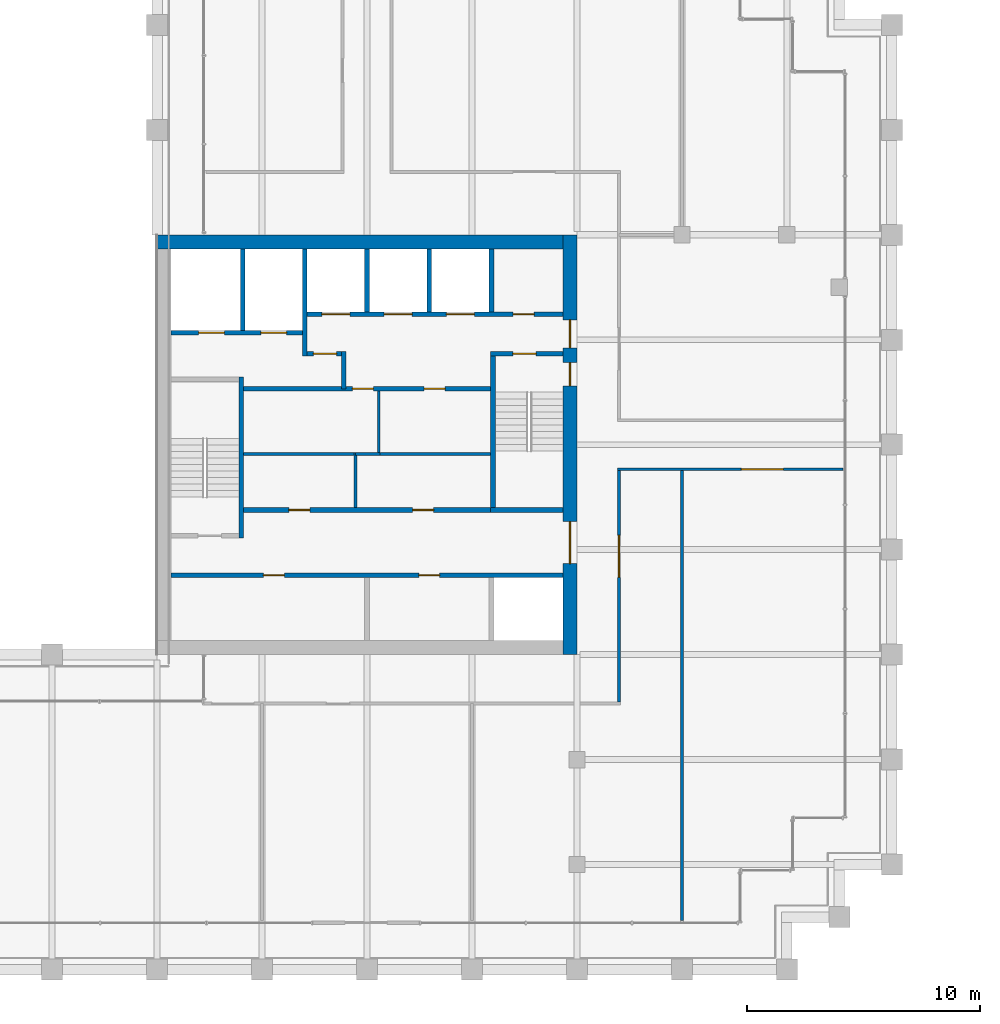
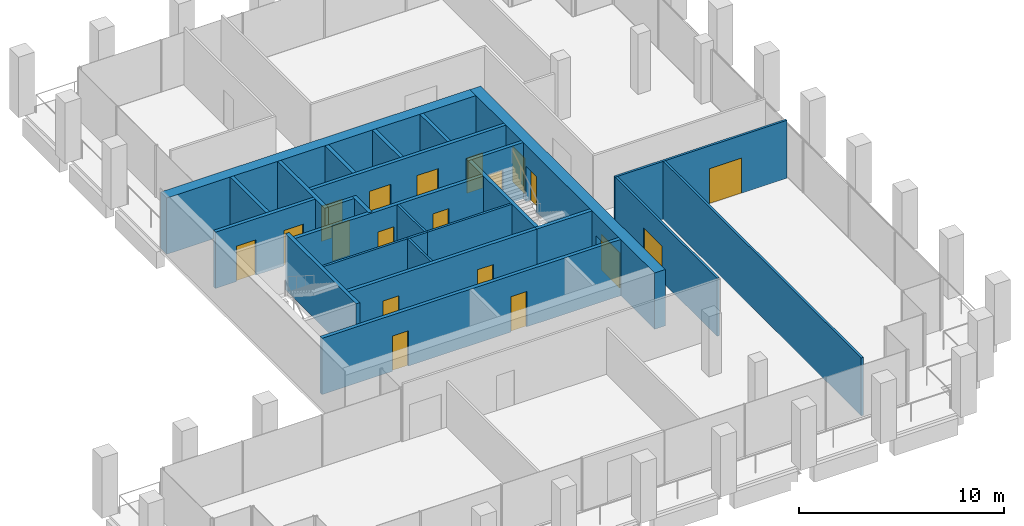
# One storey, part 36 of 40: 26 walls, 19 doors, 19 openings.
"""IFC4 building model written with IfcOpenShell, lengths in metres."""

from ifc_helpers import new_model, si_unit, direction, frame, frame_2d, origin, place, context, subcontext, project, spatial, rectangle, extrude, material, layer, layer_set, type_object, element, fill, save


model = new_model("IFC4")

# Units and contexts
model_context = context("Model", 3, precision=1e-05, world=origin(), true_north=direction((0.0, 1.0)))
body_context = subcontext(model_context, "Body", "Model", "MODEL_VIEW")
ifc_project = project(units=[si_unit("LENGTHUNIT", "METRE"), si_unit("AREAUNIT", "SQUARE_METRE"), si_unit("VOLUMEUNIT", "CUBIC_METRE"), si_unit("PLANEANGLEUNIT", "RADIAN"), si_unit("MASSUNIT", "GRAM", prefix="KILO")], contexts=[model_context])

# Site, building, storey
site_placement = place(None, origin())
site = spatial("IfcSite", under=ifc_project, at=site_placement, CompositionType="ELEMENT")
building_placement = place(site_placement, origin())
building = spatial("IfcBuilding", under=site, at=building_placement, Name="Altepetl Exchange Towers", CompositionType="ELEMENT")
storey_placement = place(building_placement, frame((0.0, 0.0, 154.60009765625)))
storey = spatial("IfcBuildingStorey", under=building, at=storey_placement, Name="L38", CompositionType="ELEMENT", Elevation=154.60009765625)

# Wall, openings, doors
ifc_material_1 = material(Name="Concrete C70/85", Category="concrete")
ifc_layer_1 = layer(ifc_material_1, 0.60009765625)
ifc_layer_set_1 = layer_set([ifc_layer_1], Name="Concrete C70/85")
wall_type_1 = type_object("IfcWallType", Name="Core wall 600 reinforced concrete", PredefinedType="SHEAR", material=ifc_layer_set_1)
wall_1_placement = place(storey_placement, frame((58.199951171875, 40.5, 0.0), z_axis=(0.0, 0.0, 1.0), x_axis=(0.0, 1.0, 0.0)))
wall_1 = element("IfcWall", 1, at=wall_1_placement, inside=storey, type_object=wall_type_1, Name="wall:A:L38:K-coreE", PredefinedType="SHEAR", context=body_context, shape_type="SweptSolid", body=[
    extrude(rectangle(XDim=18.0, YDim=0.60009765625, at=frame_2d((9.0, 0.0))), origin(), (0.0, 0.0, 1.0), 3.349853515625),
])
opening_1_placement = place(wall_1_placement, frame((13.14990234375, 0.0, 0.0)))
opening_1 = element("IfcOpeningElement", 2, at=opening_1_placement, cuts=wall_1, Name="Opening L38.A60", PredefinedType="OPENING", context=body_context, shape_type="SweptSolid", body=[
    extrude(rectangle(XDim=1.199951171875, YDim=2.10009765625, at=frame_2d((0.60009765625, 1.050048828125))), frame((0.0, 0.31005859375, 0.0), z_axis=(0.0, -1.0, 0.0), x_axis=(1.0, 0.0, 0.0)), (0.0, 0.0, 1.0), 0.6201171875),
])
opening_2_placement = place(wall_1_placement, frame((3.89990234375, 0.0, 0.0)))
opening_2 = element("IfcOpeningElement", 3, at=opening_2_placement, cuts=wall_1, Name="Opening L38.A61", PredefinedType="OPENING", context=body_context, shape_type="SweptSolid", body=[
    extrude(rectangle(XDim=1.800048828125, YDim=2.10009765625, at=frame_2d((0.89990234375, 1.050048828125))), frame((0.0, 0.31005859375, 0.0), z_axis=(0.0, -1.0, 0.0), x_axis=(1.0, 0.0, 0.0)), (0.0, 0.0, 1.0), 0.6201171875),
])
opening_3_placement = place(wall_1_placement, frame((11.52490234375, 0.0, 0.0)))
opening_3 = element("IfcOpeningElement", 4, at=opening_3_placement, cuts=wall_1, Name="Opening L38.A64", PredefinedType="OPENING", context=body_context, shape_type="SweptSolid", body=[
    extrude(rectangle(XDim=1.0, YDim=2.10009765625, at=frame_2d((0.5, 1.050048828125))), frame((0.0, 0.31005859375, 0.0), z_axis=(0.0, -1.0, 0.0), x_axis=(1.0, 0.0, 0.0)), (0.0, 0.0, 1.0), 0.6201171875),
])
ifc_material_2 = material(Name="Steel and timber fire door", Category="steel")
door_type_1 = type_object("IfcDoorType", Name="Fire door 1000 x 2100 stair and lobby", OperationType="SINGLE_SWING_LEFT", PredefinedType="DOOR", material=ifc_material_2)
door_1_placement = place(opening_3_placement, origin())
door_1 = element("IfcDoor", 5, at=door_1_placement, inside=storey, type_object=door_type_1, Name="door:A:L38:K-dS2x", OperationType="SINGLE_SWING_RIGHT", OverallHeight=2.10009765625, OverallWidth=1.0, PredefinedType="DOOR", context=body_context, shape_type="SweptSolid", body=[
    extrude(rectangle(XDim=1.0, YDim=2.10009765625, at=frame_2d((0.5, 1.050048828125))), frame((0.0, 0.02490234375, 0.0), z_axis=(0.0, -1.0, 0.0), x_axis=(1.0, 0.0, 0.0)), (0.0, 0.0, 1.0), 0.050048828125),
])
fill(opening_3, door_1)
door_type_2 = type_object("IfcDoorType", Name="Fire door 1200 x 2100 lobby entry", OperationType="SINGLE_SWING_LEFT", PredefinedType="DOOR", material=ifc_material_2)
door_2_placement = place(opening_1_placement, origin())
door_2 = element("IfcDoor", 6, at=door_2_placement, inside=storey, type_object=door_type_2, Name="door:A:L38:K-dLNE", OperationType="SINGLE_SWING_RIGHT", OverallHeight=2.10009765625, OverallWidth=1.199951171875, PredefinedType="DOOR", context=body_context, shape_type="SweptSolid", body=[
    extrude(rectangle(XDim=1.199951171875, YDim=2.10009765625, at=frame_2d((0.60009765625, 1.050048828125))), frame((0.0, 0.02490234375, 0.0), z_axis=(0.0, -1.0, 0.0), x_axis=(1.0, 0.0, 0.0)), (0.0, 0.0, 1.0), 0.050048828125),
])
fill(opening_1, door_2)
door_type_3 = type_object("IfcDoorType", Name="Fire door 1800 x 2100 lobby entry", OperationType="DOUBLE_DOOR_SINGLE_SWING", PredefinedType="DOOR", material=ifc_material_2)
door_3_placement = place(opening_2_placement, origin())
door_3 = element("IfcDoor", 7, at=door_3_placement, inside=storey, type_object=door_type_3, Name="door:A:L38:K-dLSE", OperationType="DOUBLE_DOOR_SINGLE_SWING", OverallHeight=2.10009765625, OverallWidth=1.800048828125, PredefinedType="DOOR", context=body_context, shape_type="SweptSolid", body=[
    extrude(rectangle(XDim=1.800048828125, YDim=2.10009765625, at=frame_2d((0.89990234375, 1.050048828125))), frame((0.0, 0.02490234375, 0.0), z_axis=(0.0, -1.0, 0.0), x_axis=(1.0, 0.0, 0.0)), (0.0, 0.0, 1.0), 0.050048828125),
])
fill(opening_2, door_3)

# Walls
wall_2_placement = place(storey_placement, frame((40.5, 58.199951171875, 0.0)))
element("IfcWall", 8, at=wall_2_placement, inside=storey, type_object=wall_type_1, Name="wall:A:L38:K-coreN", PredefinedType="SHEAR", context=body_context, shape_type="SweptSolid", body=[
    extrude(rectangle(XDim=17.39990234375, YDim=0.60009765625, at=frame_2d((8.699951171875, 0.0))), origin(), (0.0, 0.0, 1.0), 3.349853515625),
])
ifc_material_3 = material(Name="Concrete blockwork", Category="masonry")
ifc_layer_2 = layer(ifc_material_3, 0.199951171875)
ifc_layer_set_2 = layer_set([ifc_layer_2], Name="Concrete blockwork")
wall_type_2 = type_object("IfcWallType", Name="Lobby wall 200 blockwork", PredefinedType="PARTITIONING", material=ifc_layer_set_2)
wall_3_placement = place(storey_placement, frame((48.5, 51.89990234375, 0.0), z_axis=(0.0, 0.0, 1.0), x_axis=(0.0, 1.0, 0.0)))
element("IfcWall", 9, at=wall_3_placement, inside=storey, type_object=wall_type_2, Name="wall:A:L38:K-ffE", PredefinedType="PARTITIONING", context=body_context, shape_type="SweptSolid", body=[
    extrude(rectangle(XDim=1.60009765625, YDim=0.199951171875, at=frame_2d((0.800048828125, 0.0))), origin(), (0.0, 0.0, 1.0), 3.349853515625),
])

# Wall, opening, door
wall_4_placement = place(storey_placement, frame((46.933349609375, 53.39990234375, 0.0)))
wall_4 = element("IfcWall", 10, at=wall_4_placement, inside=storey, type_object=wall_type_2, Name="wall:A:L38:K-ffN", PredefinedType="PARTITIONING", context=body_context, shape_type="SweptSolid", body=[
    extrude(rectangle(XDim=1.466552734375, YDim=0.199951171875, at=frame_2d((0.7333984375, 0.0))), origin(), (0.0, 0.0, 1.0), 3.349853515625),
])
opening_4_placement = place(wall_4_placement, frame((0.2666015625, 0.0, 0.0)))
opening_4 = element("IfcOpeningElement", 11, at=opening_4_placement, cuts=wall_4, Name="Opening L38.A65", PredefinedType="OPENING", context=body_context, shape_type="SweptSolid", body=[
    extrude(rectangle(XDim=1.0, YDim=2.10009765625, at=frame_2d((0.5, 1.050048828125))), frame((0.0, 0.10986328125, 0.0), z_axis=(0.0, -1.0, 0.0), x_axis=(1.0, 0.0, 0.0)), (0.0, 0.0, 1.0), 0.219970703125),
])
door_4_placement = place(opening_4_placement, frame((1.0, 0.0, 0.0), x_axis=(-1.0, 0.0, 0.0)))
door_4 = element("IfcDoor", 12, at=door_4_placement, inside=storey, type_object=door_type_1, Name="door:A:L38:K-dffN", OperationType="SINGLE_SWING_RIGHT", OverallHeight=2.10009765625, OverallWidth=1.0, PredefinedType="DOOR", context=body_context, shape_type="SweptSolid", body=[
    extrude(rectangle(XDim=1.0, YDim=2.10009765625, at=frame_2d((0.5, 1.050048828125))), frame((0.0, 0.02490234375, 0.0), z_axis=(0.0, -1.0, 0.0), x_axis=(1.0, 0.0, 0.0)), (0.0, 0.0, 1.0), 0.050048828125),
])
fill(opening_4, door_4)

# Wall, openings, doors
wall_5_placement = place(storey_placement, frame((44.199951171875, 51.89990234375, 0.0)))
wall_5 = element("IfcWall", 13, at=wall_5_placement, inside=storey, type_object=wall_type_2, Name="wall:A:L38:K-zoneN", PredefinedType="PARTITIONING", context=body_context, shape_type="SweptSolid", body=[
    extrude(rectangle(XDim=10.60009765625, YDim=0.199951171875, at=frame_2d((5.300048828125, 0.0))), origin(), (0.0, 0.0, 1.0), 3.349853515625),
])
opening_5_placement = place(wall_5_placement, frame((4.675048828125, 0.0, 0.0)))
opening_5 = element("IfcOpeningElement", 14, at=opening_5_placement, cuts=wall_5, Name="Opening L38.A71", PredefinedType="OPENING", context=body_context, shape_type="SweptSolid", body=[
    extrude(rectangle(XDim=0.89990234375, YDim=2.10009765625, at=frame_2d((0.449951171875, 1.050048828125))), frame((0.0, 0.10986328125, 0.0), z_axis=(0.0, -1.0, 0.0), x_axis=(1.0, 0.0, 0.0)), (0.0, 0.0, 1.0), 0.219970703125),
])
opening_6_placement = place(wall_5_placement, frame((7.75, 0.0, 0.0)))
opening_6 = element("IfcOpeningElement", 15, at=opening_6_placement, cuts=wall_5, Name="Opening L38.A72", PredefinedType="OPENING", context=body_context, shape_type="SweptSolid", body=[
    extrude(rectangle(XDim=0.89990234375, YDim=2.10009765625, at=frame_2d((0.449951171875, 1.050048828125))), frame((0.0, 0.10986328125, 0.0), z_axis=(0.0, -1.0, 0.0), x_axis=(1.0, 0.0, 0.0)), (0.0, 0.0, 1.0), 0.219970703125),
])
door_type_4 = type_object("IfcDoorType", Name="Fire door 900 x 2100 service room", OperationType="SINGLE_SWING_LEFT", PredefinedType="DOOR", material=ifc_material_2)
door_5_placement = place(opening_5_placement, frame((0.89990234375, 0.0, 0.0), x_axis=(-1.0, 0.0, 0.0)))
door_5 = element("IfcDoor", 16, at=door_5_placement, inside=storey, type_object=door_type_4, Name="door:A:L38:K-dz3", OperationType="SINGLE_SWING_LEFT", OverallHeight=2.10009765625, OverallWidth=0.89990234375, PredefinedType="DOOR", context=body_context, shape_type="SweptSolid", body=[
    extrude(rectangle(XDim=0.89990234375, YDim=2.10009765625, at=frame_2d((0.449951171875, 1.050048828125))), frame((0.0, 0.02490234375, 0.0), z_axis=(0.0, -1.0, 0.0), x_axis=(1.0, 0.0, 0.0)), (0.0, 0.0, 1.0), 0.050048828125),
])
fill(opening_5, door_5)
door_6_placement = place(opening_6_placement, frame((0.89990234375, 0.0, 0.0), x_axis=(-1.0, 0.0, 0.0)))
door_6 = element("IfcDoor", 17, at=door_6_placement, inside=storey, type_object=door_type_4, Name="door:A:L38:K-dz4", OperationType="SINGLE_SWING_LEFT", OverallHeight=2.10009765625, OverallWidth=0.89990234375, PredefinedType="DOOR", context=body_context, shape_type="SweptSolid", body=[
    extrude(rectangle(XDim=0.89990234375, YDim=2.10009765625, at=frame_2d((0.449951171875, 1.050048828125))), frame((0.0, 0.02490234375, 0.0), z_axis=(0.0, -1.0, 0.0), x_axis=(1.0, 0.0, 0.0)), (0.0, 0.0, 1.0), 0.050048828125),
])
fill(opening_6, door_6)

wall_6_placement = place(storey_placement, frame((44.199951171875, 46.699951171875, 0.0)))
wall_6 = element("IfcWall", 18, at=wall_6_placement, inside=storey, type_object=wall_type_2, Name="wall:A:L38:K-zoneS", PredefinedType="PARTITIONING", context=body_context, shape_type="SweptSolid", body=[
    extrude(rectangle(XDim=10.60009765625, YDim=0.199951171875, at=frame_2d((5.300048828125, 0.0))), origin(), (0.0, 0.0, 1.0), 3.349853515625),
])
opening_7_placement = place(wall_6_placement, frame((1.949951171875, 0.0, 0.0)))
opening_7 = element("IfcOpeningElement", 19, at=opening_7_placement, cuts=wall_6, Name="Opening L38.A69", PredefinedType="OPENING", context=body_context, shape_type="SweptSolid", body=[
    extrude(rectangle(XDim=0.89990234375, YDim=2.10009765625, at=frame_2d((0.449951171875, 1.050048828125))), frame((0.0, 0.10986328125, 0.0), z_axis=(0.0, -1.0, 0.0), x_axis=(1.0, 0.0, 0.0)), (0.0, 0.0, 1.0), 0.219970703125),
])
opening_8_placement = place(wall_6_placement, frame((7.25, 0.0, 0.0)))
opening_8 = element("IfcOpeningElement", 20, at=opening_8_placement, cuts=wall_6, Name="Opening L38.A70", PredefinedType="OPENING", context=body_context, shape_type="SweptSolid", body=[
    extrude(rectangle(XDim=0.89990234375, YDim=2.10009765625, at=frame_2d((0.449951171875, 1.050048828125))), frame((0.0, 0.10986328125, 0.0), z_axis=(0.0, -1.0, 0.0), x_axis=(1.0, 0.0, 0.0)), (0.0, 0.0, 1.0), 0.219970703125),
])
door_7_placement = place(opening_7_placement, origin())
door_7 = element("IfcDoor", 21, at=door_7_placement, inside=storey, type_object=door_type_4, Name="door:A:L38:K-dz1", OperationType="SINGLE_SWING_LEFT", OverallHeight=2.10009765625, OverallWidth=0.89990234375, PredefinedType="DOOR", context=body_context, shape_type="SweptSolid", body=[
    extrude(rectangle(XDim=0.89990234375, YDim=2.10009765625, at=frame_2d((0.449951171875, 1.050048828125))), frame((0.0, 0.02490234375, 0.0), z_axis=(0.0, -1.0, 0.0), x_axis=(1.0, 0.0, 0.0)), (0.0, 0.0, 1.0), 0.050048828125),
])
fill(opening_7, door_7)
door_8_placement = place(opening_8_placement, origin())
door_8 = element("IfcDoor", 22, at=door_8_placement, inside=storey, type_object=door_type_4, Name="door:A:L38:K-dz2", OperationType="SINGLE_SWING_LEFT", OverallHeight=2.10009765625, OverallWidth=0.89990234375, PredefinedType="DOOR", context=body_context, shape_type="SweptSolid", body=[
    extrude(rectangle(XDim=0.89990234375, YDim=2.10009765625, at=frame_2d((0.449951171875, 1.050048828125))), frame((0.0, 0.02490234375, 0.0), z_axis=(0.0, -1.0, 0.0), x_axis=(1.0, 0.0, 0.0)), (0.0, 0.0, 1.0), 0.050048828125),
])
fill(opening_8, door_8)

# Walls
ifc_material_4 = material(Name="Gypsum board on steel studs", Category="steel")
ifc_layer_3 = layer(ifc_material_4, 0.125)
ifc_layer_set_3 = layer_set([ifc_layer_3], Name="Gypsum board on steel studs")
wall_type_3 = type_object("IfcWallType", Name="Partition 125 gypsum board on steel studs", PredefinedType="PARTITIONING", material=ifc_layer_set_3)
wall_7_placement = place(storey_placement, frame((49.0, 46.800048828125, 0.0), z_axis=(0.0, 0.0, 1.0), x_axis=(0.0, 1.0, 0.0)))
element("IfcWall", 23, at=wall_7_placement, inside=storey, type_object=wall_type_3, Name="wall:A:L38:K-zp1", PredefinedType="PARTITIONING", context=body_context, shape_type="SweptSolid", body=[
    extrude(rectangle(XDim=2.362548828125, YDim=0.125, at=frame_2d((1.18115234375, 0.0))), origin(), (0.0, 0.0, 1.0), 3.349853515625),
])
wall_8_placement = place(storey_placement, frame((48.9375, 49.10009765625, 0.0), z_axis=(0.0, 0.0, 1.0), x_axis=(-1.0, 0.0, 0.0)))
element("IfcWall", 24, at=wall_8_placement, inside=storey, type_object=wall_type_3, Name="wall:A:L38:K-zp2", PredefinedType="PARTITIONING", context=body_context, shape_type="SweptSolid", body=[
    extrude(rectangle(XDim=4.737548828125, YDim=0.125, at=frame_2d((2.36865234375, 0.0))), origin(), (0.0, 0.0, 1.0), 3.349853515625),
])
wall_9_placement = place(storey_placement, frame((50.0625, 49.10009765625, 0.0), z_axis=(0.0, 0.0, 1.0), x_axis=(-1.0, 0.0, 0.0)))
element("IfcWall", 25, at=wall_9_placement, inside=storey, type_object=wall_type_3, Name="wall:A:L38:K-zp3", PredefinedType="PARTITIONING", context=body_context, shape_type="SweptSolid", body=[
    extrude(rectangle(XDim=1.0625, YDim=0.125, at=frame_2d((0.53125, 0.0))), origin(), (0.0, 0.0, 1.0), 3.349853515625),
])
wall_10_placement = place(storey_placement, frame((54.800048828125, 49.10009765625, 0.0), z_axis=(0.0, 0.0, 1.0), x_axis=(-1.0, 0.0, 0.0)))
element("IfcWall", 26, at=wall_10_placement, inside=storey, type_object=wall_type_3, Name="wall:A:L38:K-zp4", PredefinedType="PARTITIONING", context=body_context, shape_type="SweptSolid", body=[
    extrude(rectangle(XDim=4.800048828125, YDim=0.125, at=frame_2d((2.39990234375, 0.0))), origin(), (0.0, 0.0, 1.0), 3.349853515625),
])
wall_11_placement = place(storey_placement, frame((50.0, 49.16259765625, 0.0), z_axis=(0.0, 0.0, 1.0), x_axis=(0.0, 1.0, 0.0)))
element("IfcWall", 27, at=wall_11_placement, inside=storey, type_object=wall_type_3, Name="wall:A:L38:K-zp5", PredefinedType="PARTITIONING", context=body_context, shape_type="SweptSolid", body=[
    extrude(rectangle(XDim=2.637451171875, YDim=0.125, at=frame_2d((1.31884765625, 0.0))), origin(), (0.0, 0.0, 1.0), 3.349853515625),
])

# Wall, opening, door
wall_12_placement = place(storey_placement, frame((60.237548828125, 48.449951171875, 0.0)))
wall_12 = element("IfcWall", 28, at=wall_12_placement, inside=storey, type_object=wall_type_3, Name="wall:A:L38:P02", PredefinedType="PARTITIONING", context=body_context, shape_type="SweptSolid", body=[
    extrude(rectangle(XDim=9.662353515625, YDim=0.125, at=frame_2d((4.8310546875, 0.0))), origin(), (0.0, 0.0, 1.0), 3.449951171875),
])
opening_9_placement = place(wall_12_placement, frame((5.3125, 0.0, 0.0)))
opening_9 = element("IfcOpeningElement", 29, at=opening_9_placement, cuts=wall_12, Name="Opening L38.A04", PredefinedType="OPENING", context=body_context, shape_type="SweptSolid", body=[
    extrude(rectangle(XDim=1.800048828125, YDim=2.10009765625, at=frame_2d((0.89990234375, 1.050048828125))), frame((0.0, 0.072509765625, 0.0), z_axis=(0.0, -1.0, 0.0), x_axis=(1.0, 0.0, 0.0)), (0.0, 0.0, 1.0), 0.14501953125),
])
door_type_5 = type_object("IfcDoorType", Name="Fire door 1800 x 2100 double leaf", OperationType="DOUBLE_DOOR_SINGLE_SWING", PredefinedType="DOOR", material=ifc_material_2)
door_9_placement = place(opening_9_placement, frame((1.800048828125, 0.0, 0.0), x_axis=(-1.0, 0.0, 0.0)))
door_9 = element("IfcDoor", 30, at=door_9_placement, inside=storey, type_object=door_type_5, Name="door:A:L38:04", OperationType="DOUBLE_DOOR_SINGLE_SWING", OverallHeight=2.10009765625, OverallWidth=1.800048828125, PredefinedType="DOOR", context=body_context, shape_type="SweptSolid", body=[
    extrude(rectangle(XDim=1.800048828125, YDim=2.10009765625, at=frame_2d((0.89990234375, 1.050048828125))), frame((0.0, 0.02490234375, 0.0), z_axis=(0.0, -1.0, 0.0), x_axis=(1.0, 0.0, 0.0)), (0.0, 0.0, 1.0), 0.050048828125),
])
fill(opening_9, door_9)

wall_13_placement = place(storey_placement, frame((60.300048828125, 38.46240234375, 0.0), z_axis=(0.0, 0.0, 1.0), x_axis=(0.0, 1.0, 0.0)))
wall_13 = element("IfcWall", 31, at=wall_13_placement, inside=storey, type_object=wall_type_3, Name="wall:A:L38:P11", PredefinedType="PARTITIONING", context=body_context, shape_type="SweptSolid", body=[
    extrude(rectangle(XDim=9.925048828125, YDim=0.125, at=frame_2d((4.96240234375, 0.0))), origin(), (0.0, 0.0, 1.0), 3.449951171875),
])
opening_10_placement = place(wall_13_placement, frame((5.348388671875, 0.0, 0.0)))
opening_10 = element("IfcOpeningElement", 32, at=opening_10_placement, cuts=wall_13, Name="Opening L38.A03", PredefinedType="OPENING", context=body_context, shape_type="SweptSolid", body=[
    extrude(rectangle(XDim=1.800048828125, YDim=2.10009765625, at=frame_2d((0.89990234375, 1.050048828125))), frame((0.0, 0.072509765625, 0.0), z_axis=(0.0, -1.0, 0.0), x_axis=(1.0, 0.0, 0.0)), (0.0, 0.0, 1.0), 0.14501953125),
])
door_10_placement = place(opening_10_placement, frame((1.800048828125, 0.0, 0.0), x_axis=(-1.0, 0.0, 0.0)))
door_10 = element("IfcDoor", 33, at=door_10_placement, inside=storey, type_object=door_type_5, Name="door:A:L38:03", OperationType="DOUBLE_DOOR_SINGLE_SWING", OverallHeight=2.10009765625, OverallWidth=1.800048828125, PredefinedType="DOOR", context=body_context, shape_type="SweptSolid", body=[
    extrude(rectangle(XDim=1.800048828125, YDim=2.10009765625, at=frame_2d((0.89990234375, 1.050048828125))), frame((0.0, 0.02490234375, 0.0), z_axis=(0.0, -1.0, 0.0), x_axis=(1.0, 0.0, 0.0)), (0.0, 0.0, 1.0), 0.050048828125),
])
fill(opening_10, door_10)

# Walls
wall_14_placement = place(storey_placement, frame((63.0, 29.10009765625, 0.0), z_axis=(0.0, 0.0, 1.0), x_axis=(0.0, 1.0, 0.0)))
element("IfcWall", 34, at=wall_14_placement, inside=storey, type_object=wall_type_3, Name="wall:A:L38:P13", PredefinedType="PARTITIONING", context=body_context, shape_type="SweptSolid", body=[
    extrude(rectangle(XDim=19.349853515625, YDim=0.125, at=frame_2d((9.6748046875, 0.0))), origin(), (0.0, 0.0, 1.0), 3.449951171875),
])
ifc_material_5 = material(Name="Concrete C40/50", Category="concrete")
ifc_layer_4 = layer(ifc_material_5, 0.199951171875)
ifc_layer_set_4 = layer_set([ifc_layer_4], Name="Concrete C40/50")
wall_type_4 = type_object("IfcWallType", Name="Shaft wall 200 reinforced concrete", PredefinedType="SHEAR", material=ifc_layer_set_4)
wall_15_placement = place(storey_placement, frame((44.166748046875, 57.89990234375, 0.0), z_axis=(0.0, 0.0, 1.0), x_axis=(0.0, -1.0, 0.0)))
element("IfcWall", 35, at=wall_15_placement, inside=storey, type_object=wall_type_4, Name="wall:A:L38:K-divN1", PredefinedType="SHEAR", context=body_context, shape_type="SweptSolid", body=[
    extrude(rectangle(XDim=3.5, YDim=0.199951171875, at=frame_2d((1.75, 0.0))), origin(), (0.0, 0.0, 1.0), 3.349853515625),
])
wall_16_placement = place(storey_placement, frame((46.833251953125, 57.89990234375, 0.0), z_axis=(0.0, 0.0, 1.0), x_axis=(0.0, -1.0, 0.0)))
element("IfcWall", 36, at=wall_16_placement, inside=storey, type_object=wall_type_4, Name="wall:A:L38:K-divN2", PredefinedType="SHEAR", context=body_context, shape_type="SweptSolid", body=[
    extrude(rectangle(XDim=4.599853515625, YDim=0.199951171875, at=frame_2d((2.2998046875, 0.0))), origin(), (0.0, 0.0, 1.0), 3.349853515625),
])
for number, where, z_axis, x_axis, name in (
    (37, (49.5, 57.89990234375, 0.0), (0.0, 0.0, 1.0), (0.0, -1.0, 0.0), "wall:A:L38:K-divN3"),
    (38, (52.166748046875, 57.89990234375, 0.0), (0.0, 0.0, 1.0), (0.0, -1.0, 0.0), "wall:A:L38:K-divN4"),
    (39, (54.833251953125, 57.89990234375, 0.0), (0.0, 0.0, 1.0), (0.0, -1.0, 0.0), "wall:A:L38:K-divN5"),
):
    element("IfcWall", number, at=place(storey_placement, frame(where, z_axis=z_axis, x_axis=x_axis)), inside=storey, type_object=wall_type_4, Name=name, PredefinedType="SHEAR", context=body_context, shape_type="SweptSolid", body=[
        extrude(rectangle(XDim=2.699951171875, YDim=0.199951171875, at=frame_2d((1.35009765625, 0.0))), origin(), (0.0, 0.0, 1.0), 3.349853515625),
    ])

# Wall, openings, doors
wall_17_placement = place(storey_placement, frame((46.933349609375, 55.10009765625, 0.0)))
wall_17 = element("IfcWall", 40, at=wall_17_placement, inside=storey, type_object=wall_type_4, Name="wall:A:L38:K-frontNb", PredefinedType="SHEAR", context=body_context, shape_type="SweptSolid", body=[
    extrude(rectangle(XDim=10.966552734375, YDim=0.199951171875, at=frame_2d((5.4833984375, 0.0))), origin(), (0.0, 0.0, 1.0), 3.349853515625),
])
opening_11_placement = place(wall_17_placement, frame((8.83349609375, 0.0, 0.0)))
opening_11 = element("IfcOpeningElement", 41, at=opening_11_placement, cuts=wall_17, Name="Opening L38.A66", PredefinedType="OPENING", context=body_context, shape_type="SweptSolid", body=[
    extrude(rectangle(XDim=0.89990234375, YDim=2.10009765625, at=frame_2d((0.449951171875, 1.050048828125))), frame((0.0, 0.10986328125, 0.0), z_axis=(0.0, -1.0, 0.0), x_axis=(1.0, 0.0, 0.0)), (0.0, 0.0, 1.0), 0.219970703125),
])
opening_12_placement = place(wall_17_placement, frame((0.63330078125, 0.0, 0.0)))
opening_12 = element("IfcOpeningElement", 42, at=opening_12_placement, cuts=wall_17, Name="Opening L38.A75", PredefinedType="OPENING", context=body_context, shape_type="SweptSolid", body=[
    extrude(rectangle(XDim=1.199951171875, YDim=2.10009765625, at=frame_2d((0.60009765625, 1.050048828125))), frame((0.0, 0.10986328125, 0.0), z_axis=(0.0, -1.0, 0.0), x_axis=(1.0, 0.0, 0.0)), (0.0, 0.0, 1.0), 0.219970703125),
])
opening_13_placement = place(wall_17_placement, frame((3.300048828125, 0.0, 0.0)))
opening_13 = element("IfcOpeningElement", 43, at=opening_13_placement, cuts=wall_17, Name="Opening L38.A76", PredefinedType="OPENING", context=body_context, shape_type="SweptSolid", body=[
    extrude(rectangle(XDim=1.199951171875, YDim=2.10009765625, at=frame_2d((0.60009765625, 1.050048828125))), frame((0.0, 0.10986328125, 0.0), z_axis=(0.0, -1.0, 0.0), x_axis=(1.0, 0.0, 0.0)), (0.0, 0.0, 1.0), 0.219970703125),
])
opening_14_placement = place(wall_17_placement, frame((5.966796875, 0.0, 0.0)))
opening_14 = element("IfcOpeningElement", 44, at=opening_14_placement, cuts=wall_17, Name="Opening L38.A77", PredefinedType="OPENING", context=body_context, shape_type="SweptSolid", body=[
    extrude(rectangle(XDim=1.199951171875, YDim=2.10009765625, at=frame_2d((0.60009765625, 1.050048828125))), frame((0.0, 0.10986328125, 0.0), z_axis=(0.0, -1.0, 0.0), x_axis=(1.0, 0.0, 0.0)), (0.0, 0.0, 1.0), 0.219970703125),
])
door_11_placement = place(opening_11_placement, origin())
door_11 = element("IfcDoor", 45, at=door_11_placement, inside=storey, type_object=door_type_4, Name="door:A:L38:K-driser", OperationType="SINGLE_SWING_RIGHT", OverallHeight=2.10009765625, OverallWidth=0.89990234375, PredefinedType="DOOR", context=body_context, shape_type="SweptSolid", body=[
    extrude(rectangle(XDim=0.89990234375, YDim=2.10009765625, at=frame_2d((0.449951171875, 1.050048828125))), frame((0.0, 0.02490234375, 0.0), z_axis=(0.0, -1.0, 0.0), x_axis=(1.0, 0.0, 0.0)), (0.0, 0.0, 1.0), 0.050048828125),
])
fill(opening_11, door_11)
ifc_material_6 = material(Name="Stainless steel", Category="steel")
door_type_6 = type_object("IfcDoorType", Name="Lift landing door 1200 x 2100", OperationType="SLIDING_TO_LEFT", PredefinedType="DOOR", material=ifc_material_6)
door_12_placement = place(opening_12_placement, origin())
door_12 = element("IfcDoor", 46, at=door_12_placement, inside=storey, type_object=door_type_6, Name="Landing door P5", OperationType="SLIDING_TO_LEFT", OverallHeight=2.10009765625, OverallWidth=1.199951171875, PredefinedType="DOOR", context=body_context, shape_type="SweptSolid", body=[
    extrude(rectangle(XDim=1.199951171875, YDim=2.10009765625, at=frame_2d((0.60009765625, 1.050048828125))), frame((0.0, 0.02490234375, 0.0), z_axis=(0.0, -1.0, 0.0), x_axis=(1.0, 0.0, 0.0)), (0.0, 0.0, 1.0), 0.050048828125),
])
fill(opening_12, door_12)
door_13_placement = place(opening_13_placement, origin())
door_13 = element("IfcDoor", 47, at=door_13_placement, inside=storey, type_object=door_type_6, Name="Landing door P6", OperationType="SLIDING_TO_LEFT", OverallHeight=2.10009765625, OverallWidth=1.199951171875, PredefinedType="DOOR", context=body_context, shape_type="SweptSolid", body=[
    extrude(rectangle(XDim=1.199951171875, YDim=2.10009765625, at=frame_2d((0.60009765625, 1.050048828125))), frame((0.0, 0.02490234375, 0.0), z_axis=(0.0, -1.0, 0.0), x_axis=(1.0, 0.0, 0.0)), (0.0, 0.0, 1.0), 0.050048828125),
])
fill(opening_13, door_13)
door_14_placement = place(opening_14_placement, origin())
door_14 = element("IfcDoor", 48, at=door_14_placement, inside=storey, type_object=door_type_6, Name="Landing door P7", OperationType="SLIDING_TO_LEFT", OverallHeight=2.10009765625, OverallWidth=1.199951171875, PredefinedType="DOOR", context=body_context, shape_type="SweptSolid", body=[
    extrude(rectangle(XDim=1.199951171875, YDim=2.10009765625, at=frame_2d((0.60009765625, 1.050048828125))), frame((0.0, 0.02490234375, 0.0), z_axis=(0.0, -1.0, 0.0), x_axis=(1.0, 0.0, 0.0)), (0.0, 0.0, 1.0), 0.050048828125),
])
fill(opening_14, door_14)

wall_18_placement = place(storey_placement, frame((41.10009765625, 54.300048828125, 0.0)))
wall_18 = element("IfcWall", 49, at=wall_18_placement, inside=storey, type_object=wall_type_4, Name="wall:A:L38:K-frontNd", PredefinedType="SHEAR", context=body_context, shape_type="SweptSolid", body=[
    extrude(rectangle(XDim=5.63330078125, YDim=0.199951171875, at=frame_2d((2.816650390625, 0.0))), origin(), (0.0, 0.0, 1.0), 3.349853515625),
])
opening_15_placement = place(wall_18_placement, frame((1.183349609375, 0.0, 0.0)))
opening_15 = element("IfcOpeningElement", 50, at=opening_15_placement, cuts=wall_18, Name="Opening L38.A73", PredefinedType="OPENING", context=body_context, shape_type="SweptSolid", body=[
    extrude(rectangle(XDim=1.10009765625, YDim=2.10009765625, at=frame_2d((0.550048828125, 1.050048828125))), frame((0.0, 0.10986328125, 0.0), z_axis=(0.0, -1.0, 0.0), x_axis=(1.0, 0.0, 0.0)), (0.0, 0.0, 1.0), 0.219970703125),
])
opening_16_placement = place(wall_18_placement, frame((3.85009765625, 0.0, 0.0)))
opening_16 = element("IfcOpeningElement", 51, at=opening_16_placement, cuts=wall_18, Name="Opening L38.A74", PredefinedType="OPENING", context=body_context, shape_type="SweptSolid", body=[
    extrude(rectangle(XDim=1.10009765625, YDim=2.10009765625, at=frame_2d((0.550048828125, 1.050048828125))), frame((0.0, 0.10986328125, 0.0), z_axis=(0.0, -1.0, 0.0), x_axis=(1.0, 0.0, 0.0)), (0.0, 0.0, 1.0), 0.219970703125),
])
door_type_7 = type_object("IfcDoorType", Name="Lift landing door 1100 x 2100", OperationType="SLIDING_TO_LEFT", PredefinedType="DOOR", material=ifc_material_6)
door_15_placement = place(opening_15_placement, origin())
door_15 = element("IfcDoor", 52, at=door_15_placement, inside=storey, type_object=door_type_7, Name="Landing door FFL1", OperationType="SLIDING_TO_LEFT", OverallHeight=2.10009765625, OverallWidth=1.10009765625, PredefinedType="DOOR", context=body_context, shape_type="SweptSolid", body=[
    extrude(rectangle(XDim=1.10009765625, YDim=2.10009765625, at=frame_2d((0.550048828125, 1.050048828125))), frame((0.0, 0.02490234375, 0.0), z_axis=(0.0, -1.0, 0.0), x_axis=(1.0, 0.0, 0.0)), (0.0, 0.0, 1.0), 0.050048828125),
])
fill(opening_15, door_15)
door_16_placement = place(opening_16_placement, origin())
door_16 = element("IfcDoor", 53, at=door_16_placement, inside=storey, type_object=door_type_7, Name="Landing door FFL2", OperationType="SLIDING_TO_LEFT", OverallHeight=2.10009765625, OverallWidth=1.10009765625, PredefinedType="DOOR", context=body_context, shape_type="SweptSolid", body=[
    extrude(rectangle(XDim=1.10009765625, YDim=2.10009765625, at=frame_2d((0.550048828125, 1.050048828125))), frame((0.0, 0.02490234375, 0.0), z_axis=(0.0, -1.0, 0.0), x_axis=(1.0, 0.0, 0.0)), (0.0, 0.0, 1.0), 0.050048828125),
])
fill(opening_16, door_16)

wall_19_placement = place(storey_placement, frame((41.10009765625, 43.89990234375, 0.0)))
wall_19 = element("IfcWall", 54, at=wall_19_placement, inside=storey, type_object=wall_type_4, Name="wall:A:L38:K-frontS", PredefinedType="SHEAR", context=body_context, shape_type="SweptSolid", body=[
    extrude(rectangle(XDim=16.7998046875, YDim=0.199951171875, at=frame_2d((8.39990234375, 0.0))), origin(), (0.0, 0.0, 1.0), 3.349853515625),
])
opening_17_placement = place(wall_19_placement, frame((3.949951171875, 0.0, 0.0)))
opening_17 = element("IfcOpeningElement", 55, at=opening_17_placement, cuts=wall_19, Name="Opening L38.A67", PredefinedType="OPENING", context=body_context, shape_type="SweptSolid", body=[
    extrude(rectangle(XDim=0.89990234375, YDim=2.10009765625, at=frame_2d((0.449951171875, 1.050048828125))), frame((0.0, 0.10986328125, 0.0), z_axis=(0.0, -1.0, 0.0), x_axis=(1.0, 0.0, 0.0)), (0.0, 0.0, 1.0), 0.219970703125),
])
opening_18_placement = place(wall_19_placement, frame((10.61669921875, 0.0, 0.0)))
opening_18 = element("IfcOpeningElement", 56, at=opening_18_placement, cuts=wall_19, Name="Opening L38.A68", PredefinedType="OPENING", context=body_context, shape_type="SweptSolid", body=[
    extrude(rectangle(XDim=0.89990234375, YDim=2.10009765625, at=frame_2d((0.449951171875, 1.050048828125))), frame((0.0, 0.10986328125, 0.0), z_axis=(0.0, -1.0, 0.0), x_axis=(1.0, 0.0, 0.0)), (0.0, 0.0, 1.0), 0.219970703125),
])
door_17_placement = place(opening_17_placement, frame((0.89990234375, 0.0, 0.0), x_axis=(-1.0, 0.0, 0.0)))
door_17 = element("IfcDoor", 57, at=door_17_placement, inside=storey, type_object=door_type_4, Name="door:A:L38:K-dslotS0", OperationType="SINGLE_SWING_LEFT", OverallHeight=2.10009765625, OverallWidth=0.89990234375, PredefinedType="DOOR", context=body_context, shape_type="SweptSolid", body=[
    extrude(rectangle(XDim=0.89990234375, YDim=2.10009765625, at=frame_2d((0.449951171875, 1.050048828125))), frame((0.0, 0.02490234375, 0.0), z_axis=(0.0, -1.0, 0.0), x_axis=(1.0, 0.0, 0.0)), (0.0, 0.0, 1.0), 0.050048828125),
])
fill(opening_17, door_17)
door_18_placement = place(opening_18_placement, frame((0.89990234375, 0.0, 0.0), x_axis=(-1.0, 0.0, 0.0)))
door_18 = element("IfcDoor", 58, at=door_18_placement, inside=storey, type_object=door_type_4, Name="door:A:L38:K-dslotS3", OperationType="SINGLE_SWING_LEFT", OverallHeight=2.10009765625, OverallWidth=0.89990234375, PredefinedType="DOOR", context=body_context, shape_type="SweptSolid", body=[
    extrude(rectangle(XDim=0.89990234375, YDim=2.10009765625, at=frame_2d((0.449951171875, 1.050048828125))), frame((0.0, 0.02490234375, 0.0), z_axis=(0.0, -1.0, 0.0), x_axis=(1.0, 0.0, 0.0)), (0.0, 0.0, 1.0), 0.050048828125),
])
fill(opening_18, door_18)

# Wall
ifc_layer_5 = layer(ifc_material_5, 0.199951171875)
ifc_layer_set_5 = layer_set([ifc_layer_5], Name="Concrete C40/50")
wall_type_5 = type_object("IfcWallType", Name="Stair wall 200 reinforced concrete", PredefinedType="SHEAR", material=ifc_layer_set_5)
wall_20_placement = place(storey_placement, frame((44.10009765625, 45.5, 0.0), z_axis=(0.0, 0.0, 1.0), x_axis=(0.0, 1.0, 0.0)))
element("IfcWall", 59, at=wall_20_placement, inside=storey, type_object=wall_type_5, Name="wall:A:L38:K-stS1E", PredefinedType="SHEAR", context=body_context, shape_type="SweptSolid", body=[
    extrude(rectangle(XDim=6.89990234375, YDim=0.199951171875, at=frame_2d((3.449951171875, 0.0))), origin(), (0.0, 0.0, 1.0), 3.349853515625),
])

# Wall, opening, door
wall_21_placement = place(storey_placement, frame((54.800048828125, 53.39990234375, 0.0)))
wall_21 = element("IfcWall", 60, at=wall_21_placement, inside=storey, type_object=wall_type_5, Name="wall:A:L38:K-stS2N", PredefinedType="SHEAR", context=body_context, shape_type="SweptSolid", body=[
    extrude(rectangle(XDim=3.099853515625, YDim=0.199951171875, at=frame_2d((1.5498046875, 0.0))), origin(), (0.0, 0.0, 1.0), 3.349853515625),
])
opening_19_placement = place(wall_21_placement, frame((0.949951171875, 0.0, 0.0)))
opening_19 = element("IfcOpeningElement", 61, at=opening_19_placement, cuts=wall_21, Name="Opening L38.A63", PredefinedType="OPENING", context=body_context, shape_type="SweptSolid", body=[
    extrude(rectangle(XDim=1.0, YDim=2.10009765625, at=frame_2d((0.5, 1.050048828125))), frame((0.0, 0.10986328125, 0.0), z_axis=(0.0, -1.0, 0.0), x_axis=(1.0, 0.0, 0.0)), (0.0, 0.0, 1.0), 0.219970703125),
])
door_19_placement = place(opening_19_placement, frame((1.0, 0.0, 0.0), x_axis=(-1.0, 0.0, 0.0)))
door_19 = element("IfcDoor", 62, at=door_19_placement, inside=storey, type_object=door_type_1, Name="door:A:L38:K-dS2in", OperationType="SINGLE_SWING_LEFT", OverallHeight=2.10009765625, OverallWidth=1.0, PredefinedType="DOOR", context=body_context, shape_type="SweptSolid", body=[
    extrude(rectangle(XDim=1.0, YDim=2.10009765625, at=frame_2d((0.5, 1.050048828125))), frame((0.0, 0.02490234375, 0.0), z_axis=(0.0, -1.0, 0.0), x_axis=(1.0, 0.0, 0.0)), (0.0, 0.0, 1.0), 0.050048828125),
])
fill(opening_19, door_19)

# Walls
wall_22_placement = place(storey_placement, frame((54.800048828125, 46.699951171875, 0.0)))
element("IfcWall", 63, at=wall_22_placement, inside=storey, type_object=wall_type_5, Name="wall:A:L38:K-stS2S", PredefinedType="SHEAR", context=body_context, shape_type="SweptSolid", body=[
    extrude(rectangle(XDim=3.099853515625, YDim=0.199951171875, at=frame_2d((1.5498046875, 0.0))), origin(), (0.0, 0.0, 1.0), 3.349853515625),
])
wall_23_placement = place(storey_placement, frame((54.89990234375, 46.800048828125, 0.0), z_axis=(0.0, 0.0, 1.0), x_axis=(0.0, 1.0, 0.0)))
element("IfcWall", 64, at=wall_23_placement, inside=storey, type_object=wall_type_5, Name="wall:A:L38:K-stS2W", PredefinedType="SHEAR", context=body_context, shape_type="SweptSolid", body=[
    extrude(rectangle(XDim=6.5, YDim=0.199951171875, at=frame_2d((3.25, 0.0))), origin(), (0.0, 0.0, 1.0), 3.349853515625),
])

save(model, "model.ifc")
